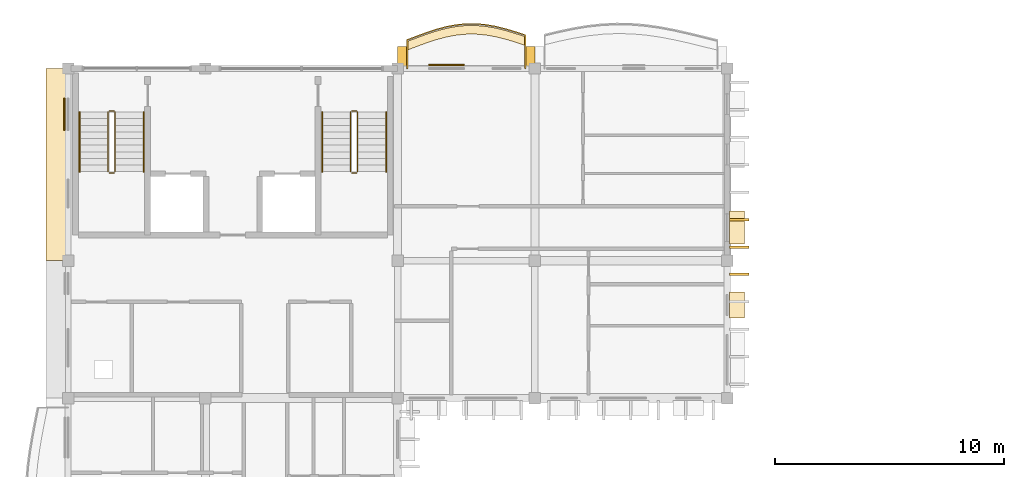
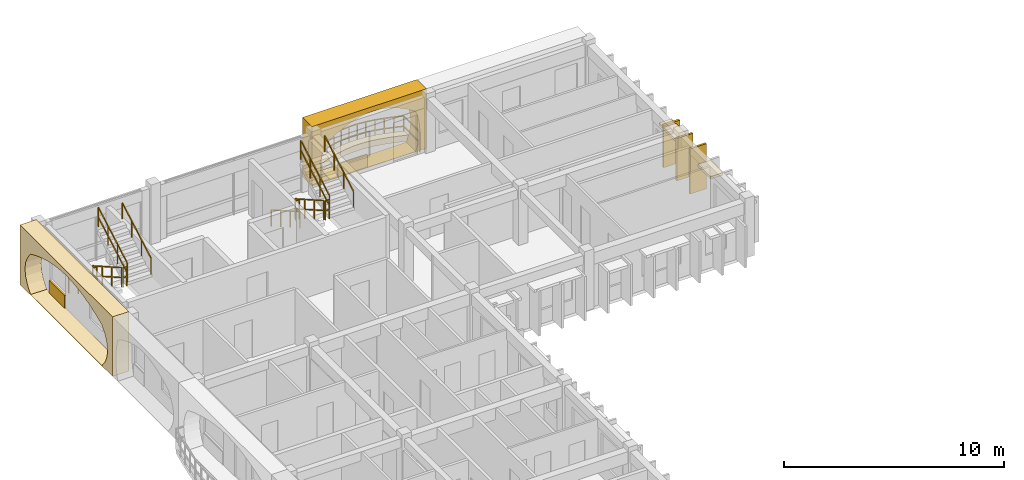
# One storey, part 21 of 28: 13 railings, 10 coverings.
"""IFC4 building model written with IfcOpenShell, lengths in metres."""

from ifc_helpers import new_model, si_unit, direction, frame, origin, origin_2d, place, context, subcontext, project, spatial, polyline, rectangle, outline, extrude, material, layer, layer_set, type_object, element, save


model = new_model("IFC4")

# Units and contexts
model_context = context("Model", 3, precision=1e-05, world=origin(), true_north=direction((0.0, 1.0)))
body_context = subcontext(model_context, "Body", "Model", "MODEL_VIEW")
ifc_project = project(units=[si_unit("LENGTHUNIT", "METRE"), si_unit("AREAUNIT", "SQUARE_METRE"), si_unit("VOLUMEUNIT", "CUBIC_METRE"), si_unit("PLANEANGLEUNIT", "RADIAN"), si_unit("MASSUNIT", "GRAM", prefix="KILO"), si_unit("THERMODYNAMICTEMPERATUREUNIT", "KELVIN")], contexts=[model_context])

# Site, building, storey
site_placement = place(None, origin())
site = spatial("IfcSite", under=ifc_project, at=site_placement, CompositionType="ELEMENT")
building_placement = place(site_placement, origin())
building = spatial("IfcBuilding", under=site, at=building_placement, Name="Thalorik Housing Commons", CompositionType="ELEMENT")
storey_placement = place(building_placement, frame((0.0, 0.0, 41.10009765625)))
storey = spatial("IfcBuildingStorey", under=building, at=storey_placement, Name="L12", CompositionType="ELEMENT", Elevation=41.10009765625)

# Coverings
ifc_material_1 = material(Name="Precast concrete C40/50", Category="concrete")
ifc_layer_1 = layer(ifc_material_1, 0.85009765625, Name="Precast concrete C40/50", Category="concrete")
ifc_layer_set_1 = layer_set([ifc_layer_1], Name="Precast concrete C40/50")
covering_type_1 = type_object("IfcCoveringType", Name="ARC-CLD-CUSH-850", PredefinedType="CLADDING", material=ifc_layer_set_1)
covering_1_placement = place(storey_placement, frame((25.800048828125, 124.132568359375, 0.0), z_axis=(0.0, 0.0, 1.0), x_axis=(-1.0, 0.0, 0.0)))
element("IfcCovering", 1, at=covering_1_placement, inside=storey, type_object=covering_type_1, Name="L12 White Precast Curved Cushion Bay Frame 1207", PredefinedType="CLADDING", context=body_context, shape_type="SweptSolid", body=[
    extrude(outline(polyline([(-3.0, 0.0), (3.0, 0.0), (3.0, 3.300048828125), (-3.0, 3.300048828125), (-3.0, 0.0)]), holes=[polyline([(2.0400390625, 0.02490234375), (2.3232421875, 0.394287109375), (2.493408203125, 0.76318359375), (2.550048828125, 1.132568359375), (2.493408203125, 1.501708984375), (2.3232421875, 1.870849609375), (2.0400390625, 2.239990234375), (1.66748046875, 2.4833984375), (1.294921875, 2.6748046875), (0.922607421875, 2.82958984375), (0.550048828125, 2.94482421875), (0.177490234375, 3.01611328125), (-0.195068359375, 3.0400390625), (-0.5673828125, 3.01611328125), (-0.93994140625, 2.94482421875), (-1.3125, 2.82958984375), (-1.68505859375, 2.6748046875), (-2.0576171875, 2.4833984375), (-2.429931640625, 2.239990234375), (-2.55029296875, 1.870849609375), (-2.62255859375, 1.501708984375), (-2.646484375, 1.132568359375), (-2.62255859375, 0.76318359375), (-2.55029296875, 0.394287109375), (-2.429931640625, 0.02490234375), (2.0400390625, 0.02490234375)])]), frame((0.0, 0.425048828125, 0.0), z_axis=(0.0, -1.0, 0.0), x_axis=(1.0, 0.0, 0.0)), (0.0, 0.0, 1.0), 0.85009765625),
])
covering_2_placement = place(storey_placement, frame((7.867431640625, 119.39990234375, 0.0), z_axis=(0.0, 0.0, 1.0), x_axis=(0.0, -1.0, 0.0)))
element("IfcCovering", 2, at=covering_2_placement, inside=storey, type_object=covering_type_1, Name="L12 White Precast Curved Cushion Bay Frame 1209", PredefinedType="CLADDING", context=body_context, shape_type="SweptSolid", body=[
    extrude(outline(polyline([(-4.199951171875, 0.0), (4.199951171875, 0.0), (4.199951171875, 3.300048828125), (-4.199951171875, 3.300048828125), (-4.199951171875, 0.0)]), holes=[polyline([(3.239990234375, 0.02490234375), (3.523193359375, 0.399169921875), (3.693359375, 0.773193359375), (3.75, 1.1474609375), (3.693359375, 1.521728515625), (3.523193359375, 1.895751953125), (3.239990234375, 2.27001953125), (2.699951171875, 2.50439453125), (2.159912109375, 2.6884765625), (1.6201171875, 2.837646484375), (1.080078125, 2.948486328125), (0.5400390625, 3.016845703125), (0.0, 3.0400390625), (-0.5400390625, 3.016845703125), (-1.080078125, 2.948486328125), (-1.6201171875, 2.837646484375), (-2.159912109375, 2.6884765625), (-2.699951171875, 2.50439453125), (-3.239990234375, 2.27001953125), (-3.523193359375, 1.895751953125), (-3.693359375, 1.521728515625), (-3.75, 1.1474609375), (-3.693359375, 0.773193359375), (-3.523193359375, 0.399169921875), (-3.239990234375, 0.02490234375), (3.239990234375, 0.02490234375)])]), frame((0.0, 0.425048828125, 0.0), z_axis=(0.0, -1.0, 0.0), x_axis=(1.0, 0.0, 0.0)), (0.0, 0.0, 1.0), 0.85009765625),
])
ifc_layer_2 = layer(ifc_material_1, 0.85009765625, Name="Precast concrete C40/50", Category="concrete")
ifc_layer_set_2 = layer_set([ifc_layer_2], Name="Precast concrete C40/50")
covering_type_2 = type_object("IfcCoveringType", Name="ARC-CLD-FIN-850", PredefinedType="CLADDING", material=ifc_layer_set_2)
covering_3_placement = place(storey_placement, frame((37.732421875, 114.60009765625, 0.039794921875), z_axis=(0.0, 0.0, 1.0), x_axis=(0.0, 1.0, 0.0)))
element("IfcCovering", 3, at=covering_3_placement, inside=storey, type_object=covering_type_2, Name="L12 Courtyard Precast Vertical Brise-Soleil Fin 1192", PredefinedType="CLADDING", context=body_context, shape_type="SweptSolid", body=[
    extrude(rectangle(XDim=0.110107421875, YDim=0.85009765625, at=origin_2d()), origin(), (0.0, 0.0, 1.0), 2.4951171875),
])
for number, where, z_axis, x_axis, name in (
    (4, (37.732421875, 115.800048828125, 0.0400390625), (0.0, 0.0, 1.0), (0.0, 1.0, 0.0), "L12 Courtyard Precast Vertical Brise-Soleil Fin 1195"),
    (5, (37.732421875, 117.0, 0.0400390625), (0.0, 0.0, 1.0), (0.0, 1.0, 0.0), "L12 Courtyard Precast Vertical Brise-Soleil Fin 1196"),
):
    element("IfcCovering", number, at=place(storey_placement, frame(where, z_axis=z_axis, x_axis=x_axis)), inside=storey, type_object=covering_type_2, Name=name, PredefinedType="CLADDING", context=body_context, shape_type="SweptSolid", body=[
        extrude(rectangle(XDim=0.110107421875, YDim=0.85009765625, at=origin_2d()), origin(), (0.0, 0.0, 1.0), 2.344970703125),
    ])
ifc_layer_3 = layer(ifc_material_1, 0.64990234375, Name="Precast concrete C40/50", Category="concrete")
ifc_layer_set_3 = layer_set([ifc_layer_3], Name="Precast concrete C40/50")
covering_type_3 = type_object("IfcCoveringType", Name="ARC-CLD-HOOD-650", PredefinedType="CLADDING", material=ifc_layer_set_3)
covering_4_placement = place(storey_placement, frame((37.632568359375, 113.26513671875, 1.98974609375), z_axis=(0.0, 0.0, 1.0), x_axis=(0.0, 1.0, 0.0)))
element("IfcCovering", 6, at=covering_4_placement, inside=storey, type_object=covering_type_3, Name="L12 Courtyard Precast Window Sun-Hood 1194", PredefinedType="CLADDING", context=body_context, shape_type="SweptSolid", body=[
    extrude(rectangle(XDim=1.139892578125, YDim=0.64990234375, at=origin_2d()), origin(), (0.0, 0.0, 1.0), 0.139892578125),
])
covering_5_placement = place(storey_placement, frame((37.632568359375, 116.64990234375, 2.14013671875), z_axis=(0.0, 0.0, 1.0), x_axis=(0.0, 1.0, 0.0)))
element("IfcCovering", 7, at=covering_5_placement, inside=storey, type_object=covering_type_3, Name="L12 Courtyard Precast Window Sun-Hood 1202", PredefinedType="CLADDING", context=body_context, shape_type="SweptSolid", body=[
    extrude(rectangle(XDim=1.43994140625, YDim=0.64990234375, at=origin_2d()), origin(), (0.0, 0.0, 1.0), 0.139892578125),
])
ifc_material_2 = material(Name="Mineral ochre architectural terracotta panel", Category="masonry")
ifc_layer_4 = layer(ifc_material_2, 0.06494140625, Name="Mineral ochre architectural terracotta panel", Category="masonry")
ifc_layer_set_4 = layer_set([ifc_layer_4], Name="Mineral ochre architectural terracotta panel")
covering_type_4 = type_object("IfcCoveringType", Name="ARC-CLD-YEL-65", PredefinedType="CLADDING", material=ifc_layer_set_4)
covering_6_placement = place(storey_placement, frame((24.93505859375, 123.7451171875, 0.0498046875), z_axis=(0.0, 0.0, 1.0), x_axis=(-1.0, 0.0, 0.0)))
element("IfcCovering", 8, at=covering_6_placement, inside=storey, type_object=covering_type_4, Name="L12 De Stijl Recessed Window Spandrel 1208", PredefinedType="CLADDING", context=body_context, shape_type="SweptSolid", body=[
    extrude(rectangle(XDim=1.550048828125, YDim=0.06494140625, at=origin_2d()), origin(), (0.0, 0.0, 1.0), 0.699951171875),
])
covering_7_placement = place(storey_placement, frame((8.2548828125, 121.603759765625, 0.0498046875), z_axis=(0.0, 0.0, 1.0), x_axis=(0.0, -1.0, 0.0)))
element("IfcCovering", 9, at=covering_7_placement, inside=storey, type_object=covering_type_4, Name="L12 De Stijl Recessed Window Spandrel 1210", PredefinedType="CLADDING", context=body_context, shape_type="SweptSolid", body=[
    extrude(rectangle(XDim=1.39990234375, YDim=0.06494140625, at=origin_2d()), origin(), (0.0, 0.0, 1.0), 0.699951171875),
])
ifc_material_3 = material(Name="Planted vegetated substrate and terracotta trough", Category="masonry")
ifc_layer_5 = layer(ifc_material_3, 0.340087890625, Name="Planted vegetated substrate and terracotta trough", Category="masonry")
ifc_layer_set_5 = layer_set([ifc_layer_5], Name="Planted vegetated substrate and terracotta trough")
covering_type_5 = type_object("IfcCoveringType", Name="ARC-COV-PLANTER", PredefinedType="USERDEFINED", material=ifc_layer_set_5)
covering_8_placement = place(storey_placement, origin())
element("IfcCovering", 10, at=covering_8_placement, inside=storey, type_object=covering_type_5, Name="L12 Balcony Slab-Edge Planted Trough 5397", ObjectType="PLANTER", PredefinedType="USERDEFINED", context=body_context, shape_type="SweptSolid", body=[
    extrude(outline(polyline([(28.3798828125, 124.989501953125), (27.949951171875, 125.1318359375), (27.52001953125, 125.260986328125), (27.090087890625, 125.366943359375), (26.659912109375, 125.4423828125), (26.22998046875, 125.481201171875), (25.800048828125, 125.480224609375), (25.3701171875, 125.4384765625), (24.93994140625, 125.358154296875), (24.510009765625, 125.244384765625), (24.080078125, 125.10400390625), (23.64990234375, 124.946533203125), (23.219970703125, 124.781982421875), (23.219970703125, 124.402099609375), (23.64990234375, 124.56640625), (24.080078125, 124.72412109375), (24.510009765625, 124.864501953125), (24.93994140625, 124.978271484375), (25.3701171875, 125.058349609375), (25.800048828125, 125.10009765625), (26.22998046875, 125.101318359375), (26.659912109375, 125.0625), (27.090087890625, 124.987060546875), (27.52001953125, 124.880859375), (27.949951171875, 124.751953125), (28.3798828125, 124.609619140625), (28.3798828125, 124.989501953125)])), origin(), (0.0, 0.0, 1.0), 0.33984375),
])

# Railings
ifc_material_4 = material(Name="Steel S355", Category="steel")
railing_type_1 = type_object("IfcRailingType", Name="ARC-RL-BAL-115", PredefinedType="BALUSTRADE", material=ifc_material_4)
railing_1_placement = place(storey_placement, frame((28.3798828125, 123.60009765625, 0.0)))
element("IfcRailing", 11, at=railing_1_placement, inside=storey, type_object=railing_type_1, Name="L12 Cushion Balcony Guardrail 81", PredefinedType="BALUSTRADE", context=body_context, shape_type="SweptSolid", body=[
    extrude(rectangle(XDim=0.050048828125, YDim=0.050048828125, at=origin_2d()), frame((0.0, 0.0, 1.125), z_axis=(0.0, 1.0, 0.0), x_axis=(-1.0, 0.0, 0.0)), (0.0, 0.0, 1.0), 1.45947265625),
    extrude(rectangle(XDim=0.050048828125, YDim=0.050048828125, at=origin_2d()), frame((0.0, 0.0, 0.5498046875), z_axis=(0.0, 1.0, 0.0), x_axis=(-1.0, 0.0, 0.0)), (0.0, 0.0, 1.0), 1.45947265625),
    extrude(rectangle(XDim=0.050048828125, YDim=0.050048828125, at=origin_2d()), frame((0.0, 1.45947265625, 1.125), z_axis=(-0.949328214695, 0.3142863993, 0.0), x_axis=(-0.3142863993, -0.949328214695, 0.0)), (0.0, 0.0, 1.0), 0.452880859375),
    extrude(rectangle(XDim=0.050048828125, YDim=0.050048828125, at=origin_2d()), frame((0.0, 1.45947265625, 0.5498046875), z_axis=(-0.949328214695, 0.3142863993, 0.0), x_axis=(-0.3142863993, -0.949328214695, 0.0)), (0.0, 0.0, 1.0), 0.452880859375),
    extrude(rectangle(XDim=0.050048828125, YDim=0.050048828125, at=origin_2d()), frame((-0.429931640625, 1.601806640625, 1.125), z_axis=(-0.957871185663, 0.287198174918, 0.0), x_axis=(-0.287198174918, -0.957871185663, 0.0)), (0.0, 0.0, 1.0), 0.44873046875),
    extrude(rectangle(XDim=0.050048828125, YDim=0.050048828125, at=origin_2d()), frame((-0.429931640625, 1.601806640625, 0.5498046875), z_axis=(-0.957871185663, 0.287198174918, 0.0), x_axis=(-0.287198174918, -0.957871185663, 0.0)), (0.0, 0.0, 1.0), 0.44873046875),
    extrude(rectangle(XDim=0.050048828125, YDim=0.050048828125, at=origin_2d()), frame((-0.85986328125, 1.730712890625, 1.125), z_axis=(-0.970819679707, 0.23981065342, 0.0), x_axis=(-0.23981065342, -0.970819679707, 0.0)), (0.0, 0.0, 1.0), 0.44287109375),
    extrude(rectangle(XDim=0.050048828125, YDim=0.050048828125, at=origin_2d()), frame((-0.85986328125, 1.730712890625, 0.5498046875), z_axis=(-0.970819679707, 0.23981065342, 0.0), x_axis=(-0.23981065342, -0.970819679707, 0.0)), (0.0, 0.0, 1.0), 0.44287109375),
    extrude(rectangle(XDim=0.050048828125, YDim=0.050048828125, at=origin_2d()), frame((-1.289794921875, 1.8369140625, 1.125), z_axis=(-0.984968706606, 0.172732877606, 0.0), x_axis=(-0.172732877606, -0.984968706606, 0.0)), (0.0, 0.0, 1.0), 0.436767578125),
    extrude(rectangle(XDim=0.050048828125, YDim=0.050048828125, at=origin_2d()), frame((-1.289794921875, 1.8369140625, 0.5498046875), z_axis=(-0.984968706606, 0.172732877606, 0.0), x_axis=(-0.172732877606, -0.984968706606, 0.0)), (0.0, 0.0, 1.0), 0.436767578125),
    extrude(rectangle(XDim=0.050048828125, YDim=0.050048828125, at=origin_2d()), frame((-1.719970703125, 1.912353515625, 1.125), z_axis=(-0.995948647187, 0.089923813119, 0.0), x_axis=(-0.089923813119, -0.995948647187, 0.0)), (0.0, 0.0, 1.0), 0.431640625),
    extrude(rectangle(XDim=0.050048828125, YDim=0.050048828125, at=origin_2d()), frame((-1.719970703125, 1.912353515625, 0.5498046875), z_axis=(-0.995948647187, 0.089923813119, 0.0), x_axis=(-0.089923813119, -0.995948647187, 0.0)), (0.0, 0.0, 1.0), 0.431640625),
    extrude(rectangle(XDim=0.050048828125, YDim=0.050048828125, at=origin_2d()), frame((-2.14990234375, 1.951171875, 1.125), z_axis=(-0.999997420298, -0.002271430824, 0.0), x_axis=(0.002271430824, -0.999997420298, 0.0)), (0.0, 0.0, 1.0), 0.429931640625),
    extrude(rectangle(XDim=0.050048828125, YDim=0.050048828125, at=origin_2d()), frame((-2.14990234375, 1.951171875, 0.5498046875), z_axis=(-0.999997420298, -0.002271430824, 0.0), x_axis=(0.002271430824, -0.999997420298, 0.0)), (0.0, 0.0, 1.0), 0.429931640625),
    extrude(rectangle(XDim=0.050048828125, YDim=0.050048828125, at=origin_2d()), frame((-2.579833984375, 1.9501953125, 1.125), z_axis=(-0.995263970634, -0.097209200993, 0.0), x_axis=(0.097209200993, -0.995263970634, 0.0)), (0.0, 0.0, 1.0), 0.431884765625),
    extrude(rectangle(XDim=0.050048828125, YDim=0.050048828125, at=origin_2d()), frame((-2.579833984375, 1.9501953125, 0.5498046875), z_axis=(-0.995263970634, -0.097209200993, 0.0), x_axis=(0.097209200993, -0.995263970634, 0.0)), (0.0, 0.0, 1.0), 0.431884765625),
    extrude(rectangle(XDim=0.050048828125, YDim=0.050048828125, at=origin_2d()), frame((-3.009765625, 1.908203125, 1.125), z_axis=(-0.98311137791, -0.18300824742, 0.0), x_axis=(0.18300824742, -0.98311137791, 0.0)), (0.0, 0.0, 1.0), 0.4375),
    extrude(rectangle(XDim=0.050048828125, YDim=0.050048828125, at=origin_2d()), frame((-3.009765625, 1.908203125, 0.5498046875), z_axis=(-0.98311137791, -0.18300824742, 0.0), x_axis=(0.18300824742, -0.98311137791, 0.0)), (0.0, 0.0, 1.0), 0.4375),
    extrude(rectangle(XDim=0.050048828125, YDim=0.050048828125, at=origin_2d()), frame((-3.43994140625, 1.828125, 1.125), z_axis=(-0.966725195305, -0.25581711585, 0.0), x_axis=(0.25581711585, -0.966725195305, 0.0)), (0.0, 0.0, 1.0), 0.44482421875),
    extrude(rectangle(XDim=0.050048828125, YDim=0.050048828125, at=origin_2d()), frame((-3.43994140625, 1.828125, 0.5498046875), z_axis=(-0.966725195305, -0.25581711585, 0.0), x_axis=(0.25581711585, -0.966725195305, 0.0)), (0.0, 0.0, 1.0), 0.44482421875),
    extrude(rectangle(XDim=0.050048828125, YDim=0.050048828125, at=origin_2d()), frame((-3.869873046875, 1.71435546875, 1.125), z_axis=(-0.950608707094, -0.310391826564, 0.0), x_axis=(0.310391826564, -0.950608707094, 0.0)), (0.0, 0.0, 1.0), 0.4521484375),
    extrude(rectangle(XDim=0.050048828125, YDim=0.050048828125, at=origin_2d()), frame((-3.869873046875, 1.71435546875, 0.5498046875), z_axis=(-0.950608707094, -0.310391826564, 0.0), x_axis=(0.310391826564, -0.950608707094, 0.0)), (0.0, 0.0, 1.0), 0.4521484375),
    extrude(rectangle(XDim=0.050048828125, YDim=0.050048828125, at=origin_2d()), frame((-4.2998046875, 1.573974609375, 1.125), z_axis=(-0.939059922416, -0.343753490328, 0.0), x_axis=(0.343753490328, -0.939059922416, 0.0)), (0.0, 0.0, 1.0), 0.4580078125),
    extrude(rectangle(XDim=0.050048828125, YDim=0.050048828125, at=origin_2d()), frame((-4.2998046875, 1.573974609375, 0.5498046875), z_axis=(-0.939059922416, -0.343753490328, 0.0), x_axis=(0.343753490328, -0.939059922416, 0.0)), (0.0, 0.0, 1.0), 0.4580078125),
    extrude(rectangle(XDim=0.050048828125, YDim=0.050048828125, at=origin_2d()), frame((-4.72998046875, 1.41650390625, 1.125), z_axis=(-0.933932105252, -0.357450448007, 0.0), x_axis=(0.357450448007, -0.933932105252, 0.0)), (0.0, 0.0, 1.0), 0.46044921875),
    extrude(rectangle(XDim=0.050048828125, YDim=0.050048828125, at=origin_2d()), frame((-4.72998046875, 1.41650390625, 0.5498046875), z_axis=(-0.933932105252, -0.357450448007, 0.0), x_axis=(0.357450448007, -0.933932105252, 0.0)), (0.0, 0.0, 1.0), 0.46044921875),
    extrude(rectangle(XDim=0.050048828125, YDim=0.050048828125, at=origin_2d()), frame((-5.159912109375, 1.251953125, 1.125), z_axis=(0.0, -1.0, 0.0), x_axis=(1.0, 0.0, 0.0)), (0.0, 0.0, 1.0), 1.251953125),
    extrude(rectangle(XDim=0.050048828125, YDim=0.050048828125, at=origin_2d()), frame((-5.159912109375, 1.251953125, 0.5498046875), z_axis=(0.0, -1.0, 0.0), x_axis=(1.0, 0.0, 0.0)), (0.0, 0.0, 1.0), 1.251953125),
    extrude(rectangle(XDim=0.0419921875, YDim=0.0419921875, at=origin_2d()), origin(), (0.0, 0.0, 1.0), 1.099853515625),
    extrude(rectangle(XDim=0.0419921875, YDim=0.0419921875, at=origin_2d()), frame((0.0, 1.45947265625, 0.0)), (0.0, 0.0, 1.0), 1.099853515625),
    extrude(rectangle(XDim=0.0419921875, YDim=0.0419921875, at=origin_2d()), frame((-0.429931640625, 1.601806640625, 0.0)), (0.0, 0.0, 1.0), 1.099853515625),
    extrude(rectangle(XDim=0.0419921875, YDim=0.0419921875, at=origin_2d()), frame((-0.85986328125, 1.730712890625, 0.0)), (0.0, 0.0, 1.0), 1.099853515625),
    extrude(rectangle(XDim=0.0419921875, YDim=0.0419921875, at=origin_2d()), frame((-1.289794921875, 1.8369140625, 0.0)), (0.0, 0.0, 1.0), 1.099853515625),
    extrude(rectangle(XDim=0.0419921875, YDim=0.0419921875, at=origin_2d()), frame((-1.719970703125, 1.912353515625, 0.0)), (0.0, 0.0, 1.0), 1.099853515625),
    extrude(rectangle(XDim=0.0419921875, YDim=0.0419921875, at=origin_2d()), frame((-2.14990234375, 1.951171875, 0.0)), (0.0, 0.0, 1.0), 1.099853515625),
    extrude(rectangle(XDim=0.0419921875, YDim=0.0419921875, at=origin_2d()), frame((-2.579833984375, 1.9501953125, 0.0)), (0.0, 0.0, 1.0), 1.099853515625),
    extrude(rectangle(XDim=0.0419921875, YDim=0.0419921875, at=origin_2d()), frame((-3.009765625, 1.908203125, 0.0)), (0.0, 0.0, 1.0), 1.099853515625),
    extrude(rectangle(XDim=0.0419921875, YDim=0.0419921875, at=origin_2d()), frame((-3.43994140625, 1.828125, 0.0)), (0.0, 0.0, 1.0), 1.099853515625),
    extrude(rectangle(XDim=0.0419921875, YDim=0.0419921875, at=origin_2d()), frame((-3.869873046875, 1.71435546875, 0.0)), (0.0, 0.0, 1.0), 1.099853515625),
    extrude(rectangle(XDim=0.0419921875, YDim=0.0419921875, at=origin_2d()), frame((-4.2998046875, 1.573974609375, 0.0)), (0.0, 0.0, 1.0), 1.099853515625),
    extrude(rectangle(XDim=0.0419921875, YDim=0.0419921875, at=origin_2d()), frame((-4.72998046875, 1.41650390625, 0.0)), (0.0, 0.0, 1.0), 1.099853515625),
    extrude(rectangle(XDim=0.0419921875, YDim=0.0419921875, at=origin_2d()), frame((-5.159912109375, 1.251953125, 0.0)), (0.0, 0.0, 1.0), 1.099853515625),
    extrude(rectangle(XDim=0.0419921875, YDim=0.0419921875, at=origin_2d()), frame((-5.159912109375, 0.0, 0.0)), (0.0, 0.0, 1.0), 1.099853515625),
])
railing_type_2 = type_object("IfcRailingType", Name="ARC-RL-STR-GRD110", PredefinedType="GUARDRAIL", material=ifc_material_4)
railing_2_placement = place(storey_placement, frame((10.14990234375, 121.699951171875, 0.164794921875)))
element("IfcRailing", 12, at=railing_2_placement, inside=storey, type_object=railing_type_2, Name="L12 ST-A1 stair guard 1", PredefinedType="GUARDRAIL", context=body_context, shape_type="SweptSolid", body=[
    extrude(rectangle(XDim=0.048095703125, YDim=0.048095703125, at=origin_2d()), frame((0.0, 0.0, 1.076171875), z_axis=(0.0, -0.869137319866, 0.494570843475), x_axis=(1.0, 0.0, 0.0)), (0.0, 0.0, 1.0), 3.0029296875),
    extrude(rectangle(XDim=0.048095703125, YDim=0.048095703125, at=origin_2d()), frame((0.0, 0.0, 0.52587890625), z_axis=(0.0, -0.869137319866, 0.494570843475), x_axis=(1.0, 0.0, 0.0)), (0.0, 0.0, 1.0), 3.0029296875),
    extrude(rectangle(XDim=0.0419921875, YDim=0.0419921875, at=origin_2d()), origin(), (0.0, 0.0, 1.0), 1.052001953125),
    extrude(rectangle(XDim=0.0419921875, YDim=0.0419921875, at=origin_2d()), frame((0.0, -0.869873046875, 0.4951171875)), (0.0, 0.0, 1.0), 1.052001953125),
    extrude(rectangle(XDim=0.0419921875, YDim=0.0419921875, at=origin_2d()), frame((0.0, -1.739990234375, 0.989990234375)), (0.0, 0.0, 1.0), 1.052001953125),
    extrude(rectangle(XDim=0.0419921875, YDim=0.0419921875, at=origin_2d()), frame((0.0, -2.60986328125, 1.485107421875)), (0.0, 0.0, 1.0), 1.052001953125),
])
railing_3_placement = place(storey_placement, frame((10.199951171875, 119.0400390625, 1.64990234375)))
element("IfcRailing", 13, at=railing_3_placement, inside=storey, type_object=railing_type_2, Name="L12 ST-A1 stair guard 2", PredefinedType="GUARDRAIL", context=body_context, shape_type="SweptSolid", body=[
    extrude(rectangle(XDim=0.048095703125, YDim=0.048095703125, at=origin_2d()), frame((0.0, 0.0, 1.076171875), z_axis=(1.0, 0.0, 0.0), x_axis=(0.0, 1.0, 0.0)), (0.0, 0.0, 1.0), 0.199951171875),
    extrude(rectangle(XDim=0.048095703125, YDim=0.048095703125, at=origin_2d()), frame((0.0, 0.0, 0.52587890625), z_axis=(1.0, 0.0, 0.0), x_axis=(0.0, 1.0, 0.0)), (0.0, 0.0, 1.0), 0.199951171875),
    extrude(rectangle(XDim=0.0419921875, YDim=0.0419921875, at=origin_2d()), origin(), (0.0, 0.0, 1.0), 1.052001953125),
    extrude(rectangle(XDim=0.0419921875, YDim=0.0419921875, at=origin_2d()), frame((0.199951171875, 0.0, 0.0)), (0.0, 0.0, 1.0), 1.052001953125),
])
railing_4_placement = place(storey_placement, frame((10.449951171875, 119.090087890625, 1.81494140625)))
element("IfcRailing", 14, at=railing_4_placement, inside=storey, type_object=railing_type_2, Name="L12 ST-A1 stair guard 3", PredefinedType="GUARDRAIL", context=body_context, shape_type="SweptSolid", body=[
    extrude(rectangle(XDim=0.048095703125, YDim=0.048095703125, at=origin_2d()), frame((0.0, 0.0, 1.076171875), z_axis=(0.0, 0.869172267526, 0.494509422927), x_axis=(-1.0, 0.0, 0.0)), (0.0, 0.0, 1.0), 3.002685546875),
    extrude(rectangle(XDim=0.048095703125, YDim=0.048095703125, at=origin_2d()), frame((0.0, 0.0, 0.52587890625), z_axis=(0.0, 0.869172267526, 0.494509422927), x_axis=(-1.0, 0.0, 0.0)), (0.0, 0.0, 1.0), 3.002685546875),
    extrude(rectangle(XDim=0.0419921875, YDim=0.0419921875, at=origin_2d()), origin(), (0.0, 0.0, 1.0), 1.052001953125),
    extrude(rectangle(XDim=0.0419921875, YDim=0.0419921875, at=origin_2d()), frame((0.0, 0.869873046875, 0.494873046875)), (0.0, 0.0, 1.0), 1.052001953125),
    extrude(rectangle(XDim=0.0419921875, YDim=0.0419921875, at=origin_2d()), frame((0.0, 1.739990234375, 0.989990234375)), (0.0, 0.0, 1.0), 1.052001953125),
    extrude(rectangle(XDim=0.0419921875, YDim=0.0419921875, at=origin_2d()), frame((0.0, 2.60986328125, 1.48486328125)), (0.0, 0.0, 1.0), 1.052001953125),
])
railing_5_placement = place(storey_placement, frame((10.199951171875, 121.75, 0.0)))
element("IfcRailing", 15, at=railing_5_placement, inside=storey, type_object=railing_type_2, Name="L12 ST-A1 stair guard 4", PredefinedType="GUARDRAIL", context=body_context, shape_type="SweptSolid", body=[
    extrude(rectangle(XDim=0.048095703125, YDim=0.048095703125, at=origin_2d()), frame((0.0, 0.0, 1.076171875), z_axis=(1.0, 0.0, 0.0), x_axis=(0.0, 1.0, 0.0)), (0.0, 0.0, 1.0), 0.199951171875),
    extrude(rectangle(XDim=0.048095703125, YDim=0.048095703125, at=origin_2d()), frame((0.0, 0.0, 0.52587890625), z_axis=(1.0, 0.0, 0.0), x_axis=(0.0, 1.0, 0.0)), (0.0, 0.0, 1.0), 0.199951171875),
    extrude(rectangle(XDim=0.0419921875, YDim=0.0419921875, at=origin_2d()), origin(), (0.0, 0.0, 1.0), 1.052001953125),
    extrude(rectangle(XDim=0.0419921875, YDim=0.0419921875, at=origin_2d()), frame((0.199951171875, 0.0, 0.0)), (0.0, 0.0, 1.0), 1.052001953125),
])
railing_6_placement = place(storey_placement, frame((20.75, 121.699951171875, 0.164794921875)))
element("IfcRailing", 16, at=railing_6_placement, inside=storey, type_object=railing_type_2, Name="L12 ST-A2 stair guard 1", PredefinedType="GUARDRAIL", context=body_context, shape_type="SweptSolid", body=[
    extrude(rectangle(XDim=0.048095703125, YDim=0.048095703125, at=origin_2d()), frame((0.0, 0.0, 1.076171875), z_axis=(0.0, -0.869137319866, 0.494570843475), x_axis=(1.0, 0.0, 0.0)), (0.0, 0.0, 1.0), 3.0029296875),
    extrude(rectangle(XDim=0.048095703125, YDim=0.048095703125, at=origin_2d()), frame((0.0, 0.0, 0.52587890625), z_axis=(0.0, -0.869137319866, 0.494570843475), x_axis=(1.0, 0.0, 0.0)), (0.0, 0.0, 1.0), 3.0029296875),
    extrude(rectangle(XDim=0.0419921875, YDim=0.0419921875, at=origin_2d()), origin(), (0.0, 0.0, 1.0), 1.052001953125),
    extrude(rectangle(XDim=0.0419921875, YDim=0.0419921875, at=origin_2d()), frame((0.0, -0.869873046875, 0.4951171875)), (0.0, 0.0, 1.0), 1.052001953125),
    extrude(rectangle(XDim=0.0419921875, YDim=0.0419921875, at=origin_2d()), frame((0.0, -1.739990234375, 0.989990234375)), (0.0, 0.0, 1.0), 1.052001953125),
    extrude(rectangle(XDim=0.0419921875, YDim=0.0419921875, at=origin_2d()), frame((0.0, -2.60986328125, 1.485107421875)), (0.0, 0.0, 1.0), 1.052001953125),
])
railing_7_placement = place(storey_placement, frame((20.800048828125, 119.0400390625, 1.64990234375)))
element("IfcRailing", 17, at=railing_7_placement, inside=storey, type_object=railing_type_2, Name="L12 ST-A2 stair guard 2", PredefinedType="GUARDRAIL", context=body_context, shape_type="SweptSolid", body=[
    extrude(rectangle(XDim=0.048095703125, YDim=0.048095703125, at=origin_2d()), frame((0.0, 0.0, 1.076171875), z_axis=(1.0, 0.0, 0.0), x_axis=(0.0, 1.0, 0.0)), (0.0, 0.0, 1.0), 0.199951171875),
    extrude(rectangle(XDim=0.048095703125, YDim=0.048095703125, at=origin_2d()), frame((0.0, 0.0, 0.52587890625), z_axis=(1.0, 0.0, 0.0), x_axis=(0.0, 1.0, 0.0)), (0.0, 0.0, 1.0), 0.199951171875),
    extrude(rectangle(XDim=0.0419921875, YDim=0.0419921875, at=origin_2d()), origin(), (0.0, 0.0, 1.0), 1.052001953125),
    extrude(rectangle(XDim=0.0419921875, YDim=0.0419921875, at=origin_2d()), frame((0.199951171875, 0.0, 0.0)), (0.0, 0.0, 1.0), 1.052001953125),
])
railing_8_placement = place(storey_placement, frame((21.050048828125, 119.090087890625, 1.81494140625)))
element("IfcRailing", 18, at=railing_8_placement, inside=storey, type_object=railing_type_2, Name="L12 ST-A2 stair guard 3", PredefinedType="GUARDRAIL", context=body_context, shape_type="SweptSolid", body=[
    extrude(rectangle(XDim=0.048095703125, YDim=0.048095703125, at=origin_2d()), frame((0.0, 0.0, 1.076171875), z_axis=(0.0, 0.869172267526, 0.494509422927), x_axis=(-1.0, 0.0, 0.0)), (0.0, 0.0, 1.0), 3.002685546875),
    extrude(rectangle(XDim=0.048095703125, YDim=0.048095703125, at=origin_2d()), frame((0.0, 0.0, 0.52587890625), z_axis=(0.0, 0.869172267526, 0.494509422927), x_axis=(-1.0, 0.0, 0.0)), (0.0, 0.0, 1.0), 3.002685546875),
    extrude(rectangle(XDim=0.0419921875, YDim=0.0419921875, at=origin_2d()), origin(), (0.0, 0.0, 1.0), 1.052001953125),
    extrude(rectangle(XDim=0.0419921875, YDim=0.0419921875, at=origin_2d()), frame((0.0, 0.869873046875, 0.494873046875)), (0.0, 0.0, 1.0), 1.052001953125),
    extrude(rectangle(XDim=0.0419921875, YDim=0.0419921875, at=origin_2d()), frame((0.0, 1.739990234375, 0.989990234375)), (0.0, 0.0, 1.0), 1.052001953125),
    extrude(rectangle(XDim=0.0419921875, YDim=0.0419921875, at=origin_2d()), frame((0.0, 2.60986328125, 1.48486328125)), (0.0, 0.0, 1.0), 1.052001953125),
])
railing_9_placement = place(storey_placement, frame((20.800048828125, 121.75, 0.0)))
element("IfcRailing", 19, at=railing_9_placement, inside=storey, type_object=railing_type_2, Name="L12 ST-A2 stair guard 4", PredefinedType="GUARDRAIL", context=body_context, shape_type="SweptSolid", body=[
    extrude(rectangle(XDim=0.048095703125, YDim=0.048095703125, at=origin_2d()), frame((0.0, 0.0, 1.076171875), z_axis=(1.0, 0.0, 0.0), x_axis=(0.0, 1.0, 0.0)), (0.0, 0.0, 1.0), 0.199951171875),
    extrude(rectangle(XDim=0.048095703125, YDim=0.048095703125, at=origin_2d()), frame((0.0, 0.0, 0.52587890625), z_axis=(1.0, 0.0, 0.0), x_axis=(0.0, 1.0, 0.0)), (0.0, 0.0, 1.0), 0.199951171875),
    extrude(rectangle(XDim=0.0419921875, YDim=0.0419921875, at=origin_2d()), origin(), (0.0, 0.0, 1.0), 1.052001953125),
    extrude(rectangle(XDim=0.0419921875, YDim=0.0419921875, at=origin_2d()), frame((0.199951171875, 0.0, 0.0)), (0.0, 0.0, 1.0), 1.052001953125),
])
railing_type_3 = type_object("IfcRailingType", Name="ARC-RL-STR-HR092", PredefinedType="HANDRAIL", material=ifc_material_4)
railing_10_placement = place(storey_placement, frame((8.89990234375, 121.699951171875, 0.164794921875)))
element("IfcRailing", 20, at=railing_10_placement, inside=storey, type_object=railing_type_3, Name="L12 ST-A1 stair handrail 1", PredefinedType="HANDRAIL", context=body_context, shape_type="SweptSolid", body=[
    extrude(rectangle(XDim=0.048095703125, YDim=0.048095703125, at=origin_2d()), frame((0.0, 0.0, 0.89599609375), z_axis=(0.0, -0.869137319866, 0.494570843475), x_axis=(1.0, 0.0, 0.0)), (0.0, 0.0, 1.0), 3.0029296875),
    extrude(rectangle(XDim=0.0419921875, YDim=0.0419921875, at=origin_2d()), origin(), (0.0, 0.0, 1.0), 0.871826171875),
    extrude(rectangle(XDim=0.0419921875, YDim=0.0419921875, at=origin_2d()), frame((0.0, -0.869873046875, 0.4951171875)), (0.0, 0.0, 1.0), 0.871826171875),
    extrude(rectangle(XDim=0.0419921875, YDim=0.0419921875, at=origin_2d()), frame((0.0, -1.739990234375, 0.989990234375)), (0.0, 0.0, 1.0), 0.871826171875),
    extrude(rectangle(XDim=0.0419921875, YDim=0.0419921875, at=origin_2d()), frame((0.0, -2.60986328125, 1.485107421875)), (0.0, 0.0, 1.0), 0.871826171875),
])
railing_11_placement = place(storey_placement, frame((11.699951171875, 119.090087890625, 1.81494140625)))
element("IfcRailing", 21, at=railing_11_placement, inside=storey, type_object=railing_type_3, Name="L12 ST-A1 stair handrail 2", PredefinedType="HANDRAIL", context=body_context, shape_type="SweptSolid", body=[
    extrude(rectangle(XDim=0.048095703125, YDim=0.048095703125, at=origin_2d()), frame((0.0, 0.0, 0.89599609375), z_axis=(0.0, 0.869172267526, 0.494509422927), x_axis=(-1.0, 0.0, 0.0)), (0.0, 0.0, 1.0), 3.002685546875),
    extrude(rectangle(XDim=0.0419921875, YDim=0.0419921875, at=origin_2d()), origin(), (0.0, 0.0, 1.0), 0.871826171875),
    extrude(rectangle(XDim=0.0419921875, YDim=0.0419921875, at=origin_2d()), frame((0.0, 0.869873046875, 0.494873046875)), (0.0, 0.0, 1.0), 0.871826171875),
    extrude(rectangle(XDim=0.0419921875, YDim=0.0419921875, at=origin_2d()), frame((0.0, 1.739990234375, 0.989990234375)), (0.0, 0.0, 1.0), 0.871826171875),
    extrude(rectangle(XDim=0.0419921875, YDim=0.0419921875, at=origin_2d()), frame((0.0, 2.60986328125, 1.48486328125)), (0.0, 0.0, 1.0), 0.871826171875),
])
railing_12_placement = place(storey_placement, frame((19.5, 121.699951171875, 0.164794921875)))
element("IfcRailing", 22, at=railing_12_placement, inside=storey, type_object=railing_type_3, Name="L12 ST-A2 stair handrail 1", PredefinedType="HANDRAIL", context=body_context, shape_type="SweptSolid", body=[
    extrude(rectangle(XDim=0.048095703125, YDim=0.048095703125, at=origin_2d()), frame((0.0, 0.0, 0.89599609375), z_axis=(0.0, -0.869137319866, 0.494570843475), x_axis=(1.0, 0.0, 0.0)), (0.0, 0.0, 1.0), 3.0029296875),
    extrude(rectangle(XDim=0.0419921875, YDim=0.0419921875, at=origin_2d()), origin(), (0.0, 0.0, 1.0), 0.871826171875),
    extrude(rectangle(XDim=0.0419921875, YDim=0.0419921875, at=origin_2d()), frame((0.0, -0.869873046875, 0.4951171875)), (0.0, 0.0, 1.0), 0.871826171875),
    extrude(rectangle(XDim=0.0419921875, YDim=0.0419921875, at=origin_2d()), frame((0.0, -1.739990234375, 0.989990234375)), (0.0, 0.0, 1.0), 0.871826171875),
    extrude(rectangle(XDim=0.0419921875, YDim=0.0419921875, at=origin_2d()), frame((0.0, -2.60986328125, 1.485107421875)), (0.0, 0.0, 1.0), 0.871826171875),
])
railing_13_placement = place(storey_placement, frame((22.300048828125, 119.090087890625, 1.81494140625)))
element("IfcRailing", 23, at=railing_13_placement, inside=storey, type_object=railing_type_3, Name="L12 ST-A2 stair handrail 2", PredefinedType="HANDRAIL", context=body_context, shape_type="SweptSolid", body=[
    extrude(rectangle(XDim=0.048095703125, YDim=0.048095703125, at=origin_2d()), frame((0.0, 0.0, 0.89599609375), z_axis=(0.0, 0.869172267526, 0.494509422927), x_axis=(-1.0, 0.0, 0.0)), (0.0, 0.0, 1.0), 3.002685546875),
    extrude(rectangle(XDim=0.0419921875, YDim=0.0419921875, at=origin_2d()), origin(), (0.0, 0.0, 1.0), 0.871826171875),
    extrude(rectangle(XDim=0.0419921875, YDim=0.0419921875, at=origin_2d()), frame((0.0, 0.869873046875, 0.494873046875)), (0.0, 0.0, 1.0), 0.871826171875),
    extrude(rectangle(XDim=0.0419921875, YDim=0.0419921875, at=origin_2d()), frame((0.0, 1.739990234375, 0.989990234375)), (0.0, 0.0, 1.0), 0.871826171875),
    extrude(rectangle(XDim=0.0419921875, YDim=0.0419921875, at=origin_2d()), frame((0.0, 2.60986328125, 1.48486328125)), (0.0, 0.0, 1.0), 0.871826171875),
])

save(model, "model.ifc")
